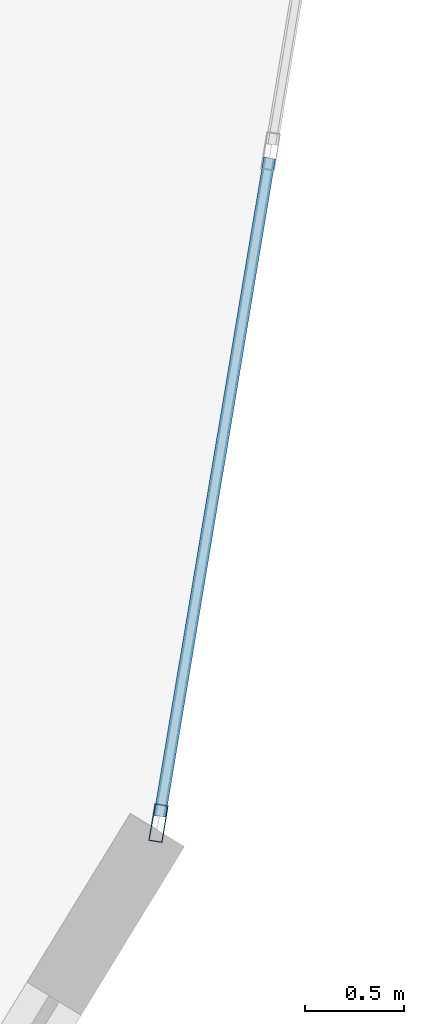
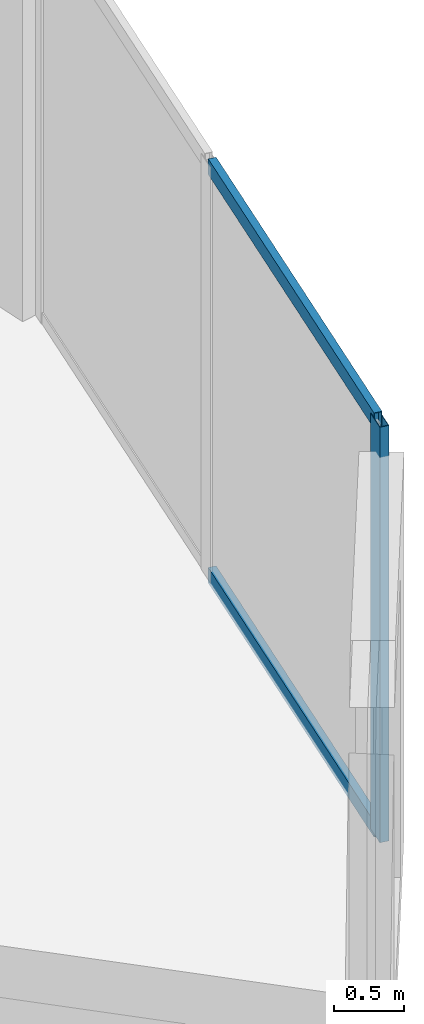
# One storey, part 8 of 23: 3 members, 1 element without a shape of its own.
"""IFC4 building model written with IfcOpenShell, lengths in metres."""

from ifc_helpers import new_model, si_unit, direction, frame, origin, origin_2d, place, context, subcontext, project, spatial, hollow_rectangle, extrude, source, transform, mapped, material, layer, layer_set, material_profile, profile_set, type_object, element, aggregate, save


model = new_model("IFC4")

# Units and contexts
model_context = context("Model", 3, precision=1e-05, world=origin(), true_north=direction((0.0, 1.0)))
body_context = subcontext(model_context, "Body", "Model", "MODEL_VIEW")
ifc_project = project(units=[si_unit("LENGTHUNIT", "METRE"), si_unit("AREAUNIT", "SQUARE_METRE"), si_unit("VOLUMEUNIT", "CUBIC_METRE"), si_unit("PLANEANGLEUNIT", "RADIAN"), si_unit("MASSUNIT", "GRAM", prefix="KILO")], contexts=[model_context])

# Site, building, storey
site_placement = place(None, origin())
site = spatial("IfcSite", under=ifc_project, at=site_placement, CompositionType="ELEMENT")
building_placement = place(site_placement, origin())
building = spatial("IfcBuilding", under=site, at=building_placement, Name="Solvirekh Grand Hotel", CompositionType="ELEMENT")
storey_placement = place(building_placement, frame((0.0, 0.0, 75.199951171875)))
storey = spatial("IfcBuildingStorey", under=building, at=storey_placement, Name="L18", CompositionType="ELEMENT", Elevation=75.199951171875)

# Curtain wall, members
ifc_material = material(Name="Anodized Bronze Aluminium 6063-T6", Category="aluminium")
ifc_layer = layer(ifc_material, 0.18994140625)
ifc_layer_set = layer_set([ifc_layer], Name="Anodized Bronze Aluminium 6063-T6")
curtain_wall_type = type_object("IfcCurtainWallType", Name="CW_Sys2_LowZoneFlushBronzeCW", PredefinedType="NOTDEFINED", material=ifc_layer_set)
curtain_wall_placement = place(storey_placement, origin())
curtain_wall = element("IfcCurtainWall", 1, at=curtain_wall_placement, inside=storey, type_object=curtain_wall_type, Name="L18 unitised bronze-glass curtain wall CW-L18-C01", PredefinedType="NOTDEFINED")
ifc_material_profile_1 = material_profile(ifc_material, hollow_rectangle(XDim=0.070068359375, YDim=0.18994140625, WallThickness=0.0048828125, at=origin_2d()), Name="ALU RHS 190X70X5")
ifc_profile_set_1 = profile_set([ifc_material_profile_1], Name="Anodized Bronze Aluminium 6063-T6")
member_type_1 = type_object("IfcMemberType", Name="CWMullion_Sys2", PredefinedType="MULLION", material=ifc_profile_set_1)
shared_shape_1 = source(origin(), body_context, "Body", "SweptSolid", [
    extrude(hollow_rectangle(XDim=0.070068359375, YDim=0.18994140625, WallThickness=0.0048828125, at=origin_2d()), origin(), (0.0, 0.0, 1.0), 3.60009765625),
])
member_1_placement = place(storey_placement, frame((24.148681640625, -9.41259765625, 0.0), z_axis=(0.0, 0.0, 1.0), x_axis=(-0.986335324386, 0.164750198387, 0.0)))
member_1 = element("IfcMember", 2, at=member_1_placement, type_object=member_type_1, Name="U02 mullion 1", PredefinedType="MULLION", context=body_context, shape_type="MappedRepresentation", body=[
    mapped(shared_shape_1, transform((0.0, 0.0, 0.0), x_axis=(1.0, 0.0, 0.0), y_axis=(0.0, 1.0, 0.0), z_axis=(0.0, 0.0, 1.0), scale=1.0)),
])
ifc_material_profile_2 = material_profile(ifc_material, hollow_rectangle(XDim=0.06005859375, YDim=0.135009765625, WallThickness=0.00390625, at=origin_2d()), Name="ALU RHS 135X60X4")
ifc_profile_set_2 = profile_set([ifc_material_profile_2], Name="Anodized Bronze Aluminium 6063-T6")
member_type_2 = type_object("IfcMemberType", Name="CWTransom_Sys2", PredefinedType="USERDEFINED", material=ifc_profile_set_2)
shared_shape_2 = source(origin(), body_context, "Body", "SweptSolid", [
    extrude(hollow_rectangle(XDim=0.06005859375, YDim=0.135009765625, WallThickness=0.00390625, at=origin_2d()), origin(), (0.0, 0.0, 1.0), 3.35791015625),
])
member_2_placement = place(storey_placement, frame((24.154541015625, -9.3779296875, 0.030029296875), z_axis=(0.164752683506, 0.986334909287, 0.0), x_axis=(-0.986334909287, 0.164752683506, 0.0)))
member_2 = element("IfcMember", 3, at=member_2_placement, type_object=member_type_2, Name="U02 transom 1.1", ObjectType="TRANSOM", PredefinedType="USERDEFINED", context=body_context, shape_type="MappedRepresentation", body=[
    mapped(shared_shape_2, transform((0.0, 0.0, 0.0), x_axis=(1.0, 0.0, 0.0), y_axis=(0.0, 1.0, 0.0), z_axis=(0.0, 0.0, 1.0), scale=1.0)),
])
member_3_placement = place(storey_placement, frame((24.154541015625, -9.3779296875, 3.570068359375), z_axis=(0.164752683506, 0.986334909287, 0.0), x_axis=(-0.986334909287, 0.164752683506, 0.0)))
member_3 = element("IfcMember", 4, at=member_3_placement, type_object=member_type_2, Name="U02 transom 1.2", ObjectType="TRANSOM", PredefinedType="USERDEFINED", context=body_context, shape_type="MappedRepresentation", body=[
    mapped(shared_shape_2, transform((0.0, 0.0, 0.0), x_axis=(1.0, 0.0, 0.0), y_axis=(0.0, 1.0, 0.0), z_axis=(0.0, 0.0, 1.0), scale=1.0)),
])
aggregate(curtain_wall, [member_1, member_2, member_3])

save(model, "model.ifc")
